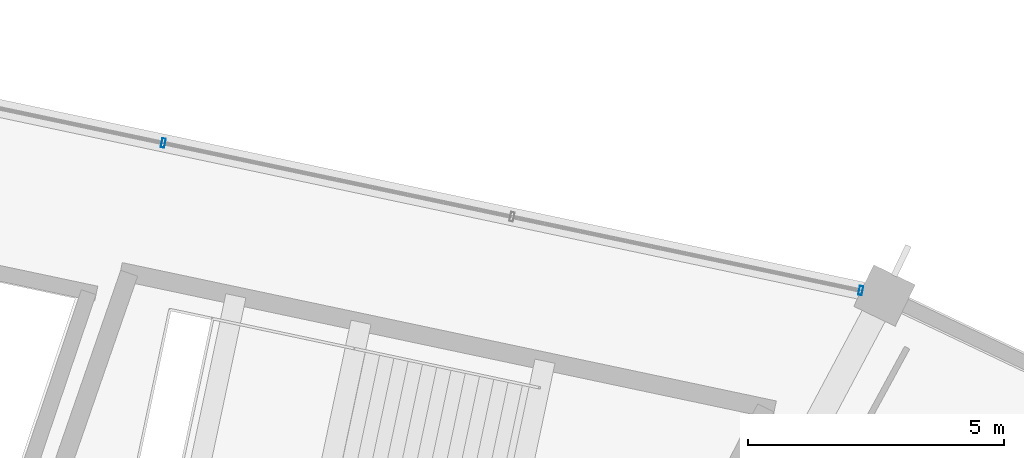
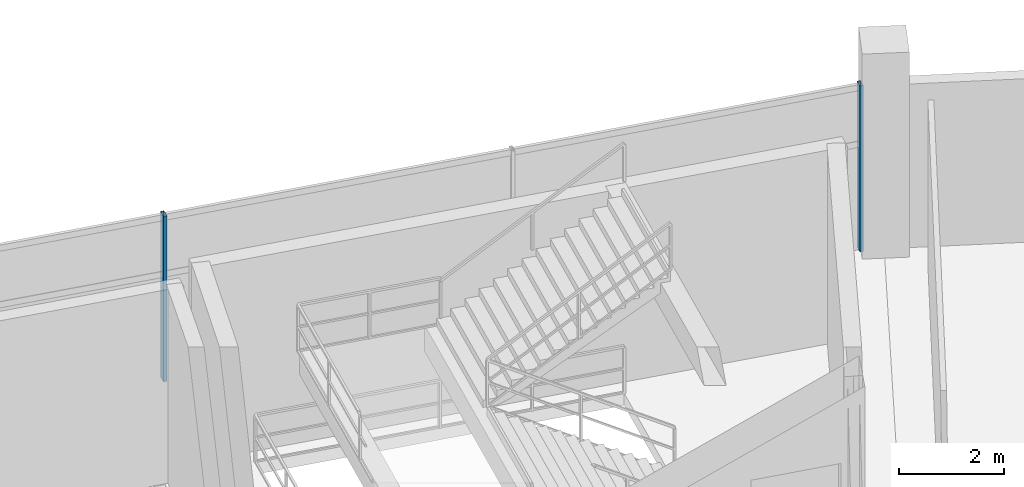
# One storey, part 93 of 156: 2 members, 1 element without a shape of its own.
"""IFC4 building model written with IfcOpenShell, lengths in metres."""

from ifc_helpers import new_model, si_unit, direction, frame, origin, origin_2d, place, context, subcontext, project, spatial, hollow_rectangle, extrude, material, layer, layer_set, material_profile, profile_set, type_object, element, aggregate, save


model = new_model("IFC4")

# Units and contexts
model_context = context("Model", 3, precision=1e-05, world=origin(), true_north=direction((0.0, 1.0)))
body_context = subcontext(model_context, "Body", "Model", "MODEL_VIEW")
ifc_project = project(units=[si_unit("LENGTHUNIT", "METRE"), si_unit("AREAUNIT", "SQUARE_METRE"), si_unit("VOLUMEUNIT", "CUBIC_METRE"), si_unit("PLANEANGLEUNIT", "RADIAN"), si_unit("MASSUNIT", "GRAM", prefix="KILO")], contexts=[model_context])

# Site, building, storey
site_placement = place(None, origin())
site = spatial("IfcSite", under=ifc_project, at=site_placement, CompositionType="ELEMENT")
building_placement = place(site_placement, origin())
building = spatial("IfcBuilding", under=site, at=building_placement, Name="Kazemori Nagisa Stadium", CompositionType="ELEMENT")
storey_placement = place(building_placement, frame((0.0, 0.0, 5.780029296875)))
storey = spatial("IfcBuildingStorey", under=building, at=storey_placement, Name="L01", CompositionType="ELEMENT", Elevation=5.780029296875)

# Curtain wall, members
ifc_material_1 = material(Name="Anodised aluminium 6063-T5", Category="aluminium")
ifc_layer = layer(ifc_material_1, 0.179931640625, Name="Anodised aluminium 6063-T5", Category="aluminium")
ifc_layer_set = layer_set([ifc_layer], Name="Anodised aluminium 6063-T5")
curtain_wall_type = type_object("IfcCurtainWallType", Name="CW_L01R3_105", PredefinedType="USERDEFINED", material=ifc_layer_set)
curtain_wall_placement = place(storey_placement, origin())
curtain_wall = element("IfcCurtainWall", 1, at=curtain_wall_placement, inside=storey, type_object=curtain_wall_type, Name="Unitised curtain wall CW-L01R3-105 L01", ObjectType="UNITISED CURTAIN WALL", PredefinedType="USERDEFINED")
ifc_material_2 = material(Name="Aluminium 6063-T5 anodised", Category="aluminium")
ifc_material_profile = material_profile(ifc_material_2, hollow_rectangle(XDim=0.070068359375, YDim=0.179931640625, WallThickness=0.00390625, at=origin_2d()), Name="ALU-MULL-70x180x4")
ifc_profile_set = profile_set([ifc_material_profile], Name="Aluminium 6063-T5 anodised")
member_type = type_object("IfcMemberType", Name="Mullion_M01", PredefinedType="MULLION", material=ifc_profile_set)
member_1_placement = place(storey_placement, frame((165.340087890625, 182.5625, 0.0), z_axis=(0.0, 0.0, 1.0), x_axis=(-0.978344955407, 0.206981033502, 0.0)))
member_1 = element("IfcMember", 2, at=member_1_placement, type_object=member_type, Name="Curtain wall mullion CW-L01R3-105-M1", PredefinedType="MULLION", context=body_context, shape_type="SweptSolid", body=[
    extrude(hollow_rectangle(XDim=0.070068359375, YDim=0.179931640625, WallThickness=0.00390625, at=origin_2d()), origin(), (0.0, 0.0, 1.0), 3.849853515625),
])
member_2_placement = place(storey_placement, frame((151.708251953125, 185.446533203125, 0.0), z_axis=(0.0, 0.0, 1.0), x_axis=(-0.978344955407, 0.206981033502, 0.0)))
member_2 = element("IfcMember", 3, at=member_2_placement, type_object=member_type, Name="Curtain wall mullion CW-L01R3-105-M3", PredefinedType="MULLION", context=body_context, shape_type="SweptSolid", body=[
    extrude(hollow_rectangle(XDim=0.070068359375, YDim=0.179931640625, WallThickness=0.00390625, at=origin_2d()), origin(), (0.0, 0.0, 1.0), 3.849853515625),
])
aggregate(curtain_wall, [member_1, member_2])

save(model, "model.ifc")
